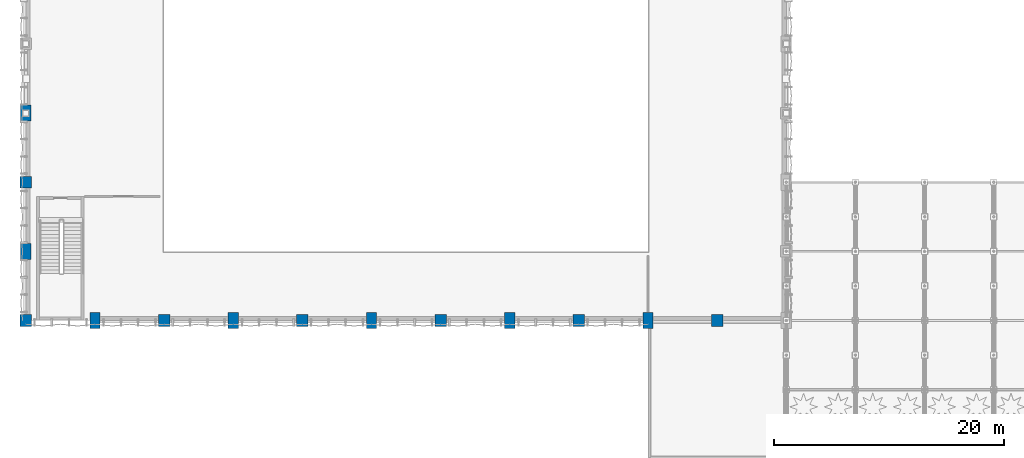
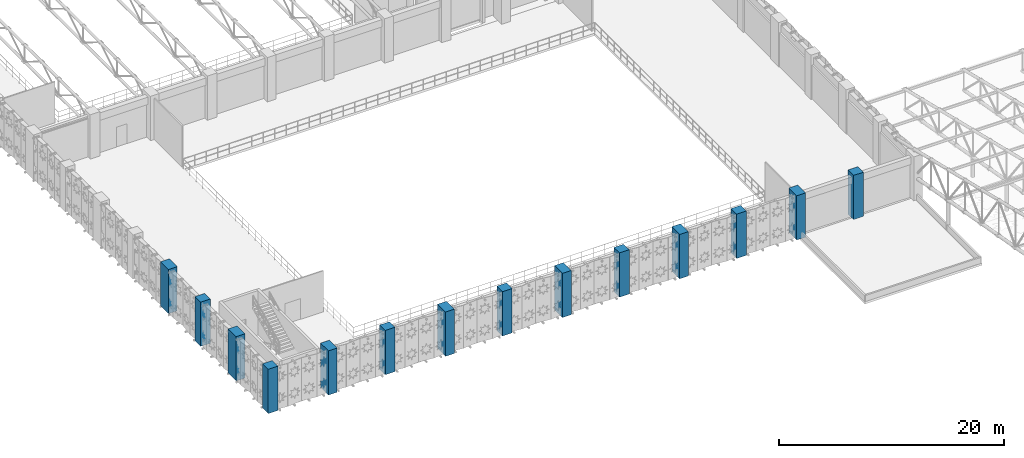
# One storey, part 1 of 123: 14 columns.
"""IFC4 building model written with IfcOpenShell, lengths in metres."""

from ifc_helpers import new_model, si_unit, direction, frame, origin, origin_2d, place, context, subcontext, project, spatial, rectangle, extrude, material, material_profile, profile_set, type_object, element, save


model = new_model("IFC4")

# Units and contexts
model_context = context("Model", 3, precision=1e-05, world=origin(), true_north=direction((0.0, 1.0)))
body_context = subcontext(model_context, "Body", "Model", "MODEL_VIEW")
ifc_project = project(units=[si_unit("LENGTHUNIT", "METRE"), si_unit("AREAUNIT", "SQUARE_METRE"), si_unit("VOLUMEUNIT", "CUBIC_METRE"), si_unit("PLANEANGLEUNIT", "RADIAN"), si_unit("MASSUNIT", "GRAM", prefix="KILO"), si_unit("THERMODYNAMICTEMPERATUREUNIT", "KELVIN"), si_unit("POWERUNIT", "WATT")], contexts=[model_context])

# Site, building, storey
site_placement = place(None, origin())
site = spatial("IfcSite", under=ifc_project, at=site_placement, CompositionType="ELEMENT")
building_placement = place(site_placement, origin())
building = spatial("IfcBuilding", under=site, at=building_placement, Name="Phaisarnlok Congress Hotel", CompositionType="ELEMENT")
storey_placement = place(building_placement, frame((0.0, 0.0, 15.0)))
storey = spatial("IfcBuildingStorey", under=building, at=storey_placement, Name="L03", CompositionType="ELEMENT", Elevation=15.0)

# Columns
ifc_material = material(Name="Concrete C50/60", Category="concrete")
ifc_material_profile_1 = material_profile(ifc_material, rectangle(XDim=1.0, YDim=1.0, at=origin_2d()), Name="RC 1000x1000")
ifc_profile_set_1 = profile_set([ifc_material_profile_1], Name="Concrete C50/60")
column_type_1 = type_object("IfcColumnType", Name="COL-RC-1000", PredefinedType="COLUMN", material=ifc_profile_set_1)
for number, where, z_axis, x_axis, name in (
    (1, (12.0, 42.0, 0.0), (0.0, 0.0, 1.0), (1.0, 0.0, 0.0), "Column C-09 (L03)"),
    (2, (24.0, 42.0, 0.0), (0.0, 0.0, 1.0), (1.0, 0.0, 0.0), "Column C-09 (L03)"),
    (3, (36.0, 42.0, 0.0), (0.0, 0.0, 1.0), (1.0, 0.0, 0.0), "Column C-09 (L03)"),
    (4, (48.0, 42.0, 0.0), (0.0, 0.0, 1.0), (1.0, 0.0, 0.0), "Column C-09 (L03)"),
    (5, (60.0, 42.0, 0.0), (0.0, 0.0, 1.0), (1.0, 0.0, 0.0), "Column C-09 (L03)"),
):
    element("IfcColumn", number, at=place(storey_placement, frame(where, z_axis=z_axis, x_axis=x_axis)), inside=storey, type_object=column_type_1, Name=name, PredefinedType="COLUMN", context=body_context, shape_type="SweptSolid", body=[
        extrude(rectangle(XDim=1.0, YDim=1.0, at=origin_2d()), origin(), (0.0, 0.0, 1.0), 4.800048828125),
    ])
ifc_material_profile_2 = material_profile(ifc_material, rectangle(XDim=1.0, YDim=1.0, at=origin_2d()), Name="RC 1000x1000")
ifc_profile_set_2 = profile_set([ifc_material_profile_2], Name="Concrete C50/60")
column_type_2 = type_object("IfcColumnType", Name="COL-RC-1000-EXT", PredefinedType="COLUMN", material=ifc_profile_set_2)
for number, where, z_axis, x_axis, name in (
    (6, (0.0, 42.0, 0.0), (0.0, 0.0, 1.0), (1.0, 0.0, 0.0), "Column C-09E (L03)"),
    (7, (0.0, 54.0, 0.0), (0.0, 0.0, 1.0), (1.0, 0.0, 0.0), "Column C-09E (L03)"),
):
    element("IfcColumn", number, at=place(storey_placement, frame(where, z_axis=z_axis, x_axis=x_axis)), inside=storey, type_object=column_type_2, Name=name, PredefinedType="COLUMN", context=body_context, shape_type="SweptSolid", body=[
        extrude(rectangle(XDim=1.0, YDim=1.0, at=origin_2d()), origin(), (0.0, 0.0, 1.0), 4.800048828125),
    ])
ifc_material_profile_3 = material_profile(ifc_material, rectangle(XDim=0.89990234375, YDim=1.39990234375, at=origin_2d()), Name="RC 900x1400")
ifc_profile_set_3 = profile_set([ifc_material_profile_3], Name="Concrete C50/60")
column_type_3 = type_object("IfcColumnType", Name="COL-RC-900x1400", PredefinedType="COLUMN", material=ifc_profile_set_3)
for number, where, z_axis, x_axis, name in (
    (8, (6.0, 42.0, 0.0), (0.0, 0.0, 1.0), (1.0, 0.0, 0.0), "Column C-12 (L03)"),
    (9, (18.0, 42.0, 0.0), (0.0, 0.0, 1.0), (1.0, 0.0, 0.0), "Column C-12 (L03)"),
    (10, (30.0, 42.0, 0.0), (0.0, 0.0, 1.0), (1.0, 0.0, 0.0), "Column C-12 (L03)"),
    (11, (42.0, 42.0, 0.0), (0.0, 0.0, 1.0), (1.0, 0.0, 0.0), "Column C-12 (L03)"),
    (12, (54.0, 42.0, 0.0), (0.0, 0.0, 1.0), (1.0, 0.0, 0.0), "Column C-12 (L03)"),
):
    element("IfcColumn", number, at=place(storey_placement, frame(where, z_axis=z_axis, x_axis=x_axis)), inside=storey, type_object=column_type_3, Name=name, PredefinedType="COLUMN", context=body_context, shape_type="SweptSolid", body=[
        extrude(rectangle(XDim=0.89990234375, YDim=1.39990234375, at=origin_2d()), origin(), (0.0, 0.0, 1.0), 4.800048828125),
    ])
ifc_material_profile_4 = material_profile(ifc_material, rectangle(XDim=0.89990234375, YDim=1.39990234375, at=origin_2d()), Name="RC 900x1400")
ifc_profile_set_4 = profile_set([ifc_material_profile_4], Name="Concrete C50/60")
column_type_4 = type_object("IfcColumnType", Name="COL-RC-900x1400-EXT", PredefinedType="COLUMN", material=ifc_profile_set_4)
for number, where, z_axis, x_axis, name in (
    (13, (0.0, 48.0, 0.0), (0.0, 0.0, 1.0), (1.0, 0.0, 0.0), "Column C-12E (L03)"),
    (14, (0.0, 60.0, 0.0), (0.0, 0.0, 1.0), (1.0, 0.0, 0.0), "Column C-12E (L03)"),
):
    element("IfcColumn", number, at=place(storey_placement, frame(where, z_axis=z_axis, x_axis=x_axis)), inside=storey, type_object=column_type_4, Name=name, PredefinedType="COLUMN", context=body_context, shape_type="SweptSolid", body=[
        extrude(rectangle(XDim=0.89990234375, YDim=1.39990234375, at=origin_2d()), origin(), (0.0, 0.0, 1.0), 4.800048828125),
    ])

save(model, "model.ifc")
